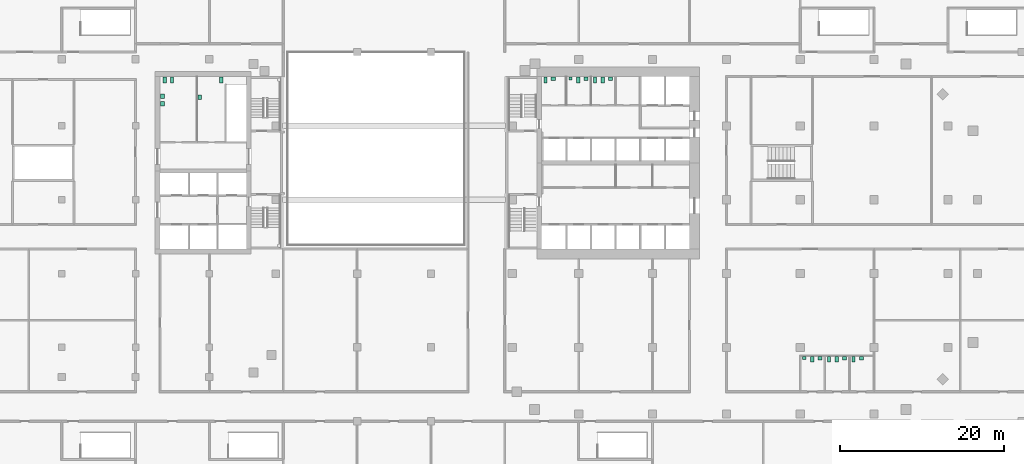
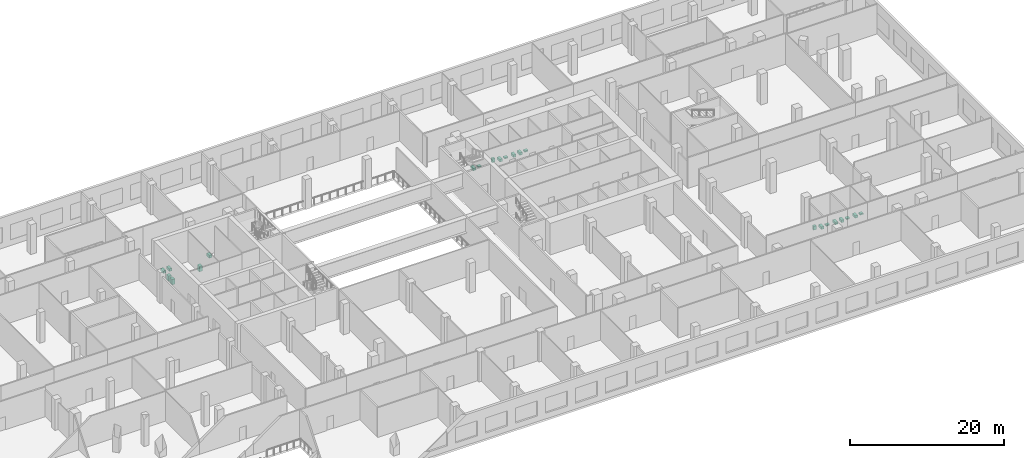
# One storey, part 20 of 20: 22 sanitary terminals.
"""IFC4 building model written with IfcOpenShell, lengths in metres."""

from ifc_helpers import new_model, si_unit, direction, frame, origin, origin_2d, place, context, subcontext, project, spatial, rectangle, extrude, material, type_object, element, save


model = new_model("IFC4")

# Units and contexts
model_context = context("Model", 3, precision=1e-05, world=origin(), true_north=direction((0.0, 1.0)))
body_context = subcontext(model_context, "Body", "Model", "MODEL_VIEW")
ifc_project = project(units=[si_unit("LENGTHUNIT", "METRE"), si_unit("AREAUNIT", "SQUARE_METRE"), si_unit("VOLUMEUNIT", "CUBIC_METRE"), si_unit("PLANEANGLEUNIT", "RADIAN"), si_unit("MASSUNIT", "GRAM", prefix="KILO")], contexts=[model_context])

# Site, building, storey
site_placement = place(None, origin())
site = spatial("IfcSite", under=ifc_project, at=site_placement, CompositionType="ELEMENT")
building_placement = place(site_placement, origin())
building = spatial("IfcBuilding", under=site, at=building_placement, Name="Cinnabar Reach Civic Tower", CompositionType="ELEMENT")
storey_placement = place(building_placement, frame((0.0, 0.0, 21.0)))
storey = spatial("IfcBuildingStorey", under=building, at=storey_placement, Name="L04", CompositionType="ELEMENT", Elevation=21.0)

# Sanitary terminals
ifc_material = material(Name="Vitreous china")
sanitary_terminal_type_1 = type_object("IfcSanitaryTerminalType", Name="T1 WC pan", PredefinedType="TOILETPAN", material=ifc_material)
for number, where, z_axis, x_axis, name in (
    (1, (37.45, 7.55, 0.0), (0.0, 0.0, 1.0), (1.0, 0.0, 0.0), "T1 WC pan 0442-2"),
    (2, (39.5, 7.55, 0.0), (0.0, 0.0, 1.0), (1.0, 0.0, 0.0), "T1 WC pan 0443-1"),
    (3, (40.45, 7.55, 0.0), (0.0, 0.0, 1.0), (1.0, 0.0, 0.0), "T1 WC pan 0443-2"),
    (4, (42.5, 7.55, 0.0), (0.0, 0.0, 1.0), (1.0, 0.0, 0.0), "T1 WC pan 0444-1"),
    (5, (4.95, 41.6, 0.0), (0.0, 0.0, 1.0), (1.0, 0.0, 0.0), "T1 WC pan 0407-1"),
    (6, (8.95, 41.6, 0.0), (0.0, 0.0, 1.0), (1.0, 0.0, 0.0), "T1 WC pan 0408-2"),
    (7, (11.0, 41.6, 0.0), (0.0, 0.0, 1.0), (1.0, 0.0, 0.0), "T1 WC pan 0409-1"),
    (8, (11.95, 41.6, 0.0), (0.0, 0.0, 1.0), (1.0, 0.0, 0.0), "T1 WC pan 0409-2"),
):
    element("IfcSanitaryTerminal", number, at=place(storey_placement, frame(where, z_axis=z_axis, x_axis=x_axis)), inside=storey, type_object=sanitary_terminal_type_1, Name=name, PredefinedType="TOILETPAN", context=body_context, shape_type="SweptSolid", body=[
        extrude(rectangle(XDim=0.4, YDim=0.7, at=origin_2d()), origin(), (0.0, 0.0, 1.0), 0.4),
    ])
sanitary_terminal_type_2 = type_object("IfcSanitaryTerminalType", Name="T1 urinal", PredefinedType="URINAL", material=ifc_material)
for number, where, z_axis, x_axis, name in (
    (9, (36.5, 7.725, 0.0), (0.0, 0.0, 1.0), (1.0, 0.0, 0.0), "T1 urinal 0442-1"),
    (10, (8.0, 41.775, 0.0), (0.0, 0.0, 1.0), (1.0, 0.0, 0.0), "T1 urinal 0408-1"),
):
    element("IfcSanitaryTerminal", number, at=place(storey_placement, frame(where, z_axis=z_axis, x_axis=x_axis)), inside=storey, type_object=sanitary_terminal_type_2, Name=name, PredefinedType="URINAL", context=body_context, shape_type="SweptSolid", body=[
        extrude(rectangle(XDim=0.4, YDim=0.35, at=origin_2d()), origin(), (0.0, 0.0, 1.0), 0.6),
    ])
sanitary_terminal_type_3 = type_object("IfcSanitaryTerminalType", Name="T1 wash basin", PredefinedType="WASHHANDBASIN", material=ifc_material)
for number, where, z_axis, x_axis, name in (
    (11, (38.4, 7.69, 0.0), (0.0, 0.0, 1.0), (1.0, 0.0, 0.0), "T1 wash basin 0442-3"),
    (12, (41.4, 7.69, 0.0), (0.0, 0.0, 1.0), (1.0, 0.0, 0.0), "T1 wash basin 0443-3"),
    (13, (43.45, 7.69, 0.0), (0.0, 0.0, 1.0), (1.0, 0.0, 0.0), "T1 wash basin 0444-2"),
    (14, (5.9, 41.74, 0.0), (0.0, 0.0, 1.0), (1.0, 0.0, 0.0), "T1 wash basin 0407-2"),
    (15, (9.9, 41.74, 0.0), (0.0, 0.0, 1.0), (1.0, 0.0, 0.0), "T1 wash basin 0408-3"),
    (16, (12.9, 41.74, 0.0), (0.0, 0.0, 1.0), (1.0, 0.0, 0.0), "T1 wash basin 0409-3"),
):
    element("IfcSanitaryTerminal", number, at=place(storey_placement, frame(where, z_axis=z_axis, x_axis=x_axis)), inside=storey, type_object=sanitary_terminal_type_3, Name=name, PredefinedType="WASHHANDBASIN", context=body_context, shape_type="SweptSolid", body=[
        extrude(rectangle(XDim=0.5, YDim=0.42, at=origin_2d()), origin(), (0.0, 0.0, 1.0), 0.2),
    ])
sanitary_terminal_type_4 = type_object("IfcSanitaryTerminalType", Name="T2 WC pan", PredefinedType="TOILETPAN", material=ifc_material)
for number, where, z_axis, x_axis, name in (
    (17, (-41.45, 41.6, 0.0), (0.0, 0.0, 1.0), (1.0, 0.0, 0.0), "WC pan"),
    (18, (-40.55, 41.6, 0.0), (0.0, 0.0, 1.0), (1.0, 0.0, 0.0), "WC pan"),
    (19, (-34.55, 41.6, 0.0), (0.0, 0.0, 1.0), (1.0, 0.0, 0.0), "WC pan"),
):
    element("IfcSanitaryTerminal", number, at=place(storey_placement, frame(where, z_axis=z_axis, x_axis=x_axis)), inside=storey, type_object=sanitary_terminal_type_4, Name=name, PredefinedType="TOILETPAN", context=body_context, shape_type="SweptSolid", body=[
        extrude(rectangle(XDim=0.4, YDim=0.7, at=origin_2d()), origin(), (0.0, 0.0, 1.0), 0.42),
    ])
sanitary_terminal_type_5 = type_object("IfcSanitaryTerminalType", Name="T2 Wash basin", PredefinedType="WASHHANDBASIN", material=ifc_material)
for number, where, z_axis, x_axis, name in (
    (20, (-41.725, 39.6, 0.0), (0.0, 0.0, 1.0), (1.0, 0.0, 0.0), "Wash basin"),
    (21, (-41.725, 38.7, 0.0), (0.0, 0.0, 1.0), (1.0, 0.0, 0.0), "Wash basin"),
    (22, (-37.175, 39.5, 0.0), (0.0, 0.0, 1.0), (1.0, 0.0, 0.0), "Wash basin"),
):
    element("IfcSanitaryTerminal", number, at=place(storey_placement, frame(where, z_axis=z_axis, x_axis=x_axis)), inside=storey, type_object=sanitary_terminal_type_5, Name=name, PredefinedType="WASHHANDBASIN", context=body_context, shape_type="SweptSolid", body=[
        extrude(rectangle(XDim=0.45, YDim=0.55, at=origin_2d()), origin(), (0.0, 0.0, 1.0), 0.85),
    ])

save(model, "model.ifc")
